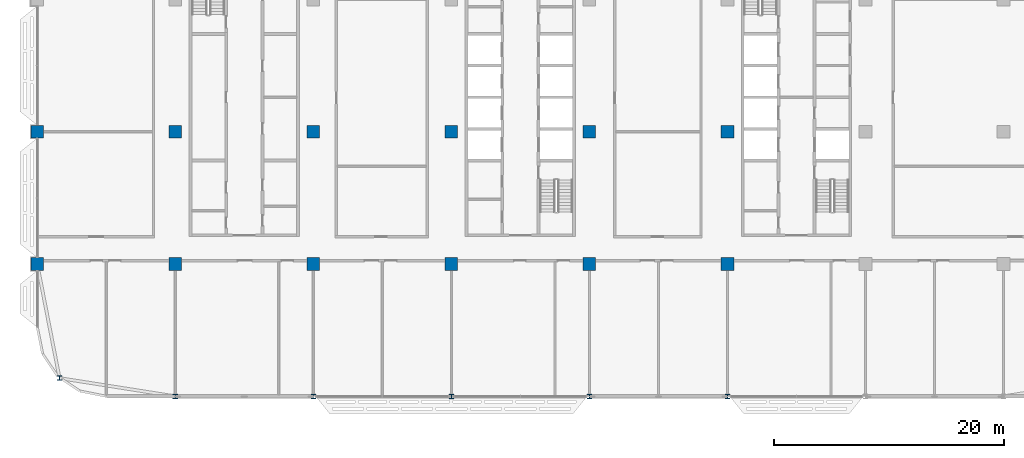
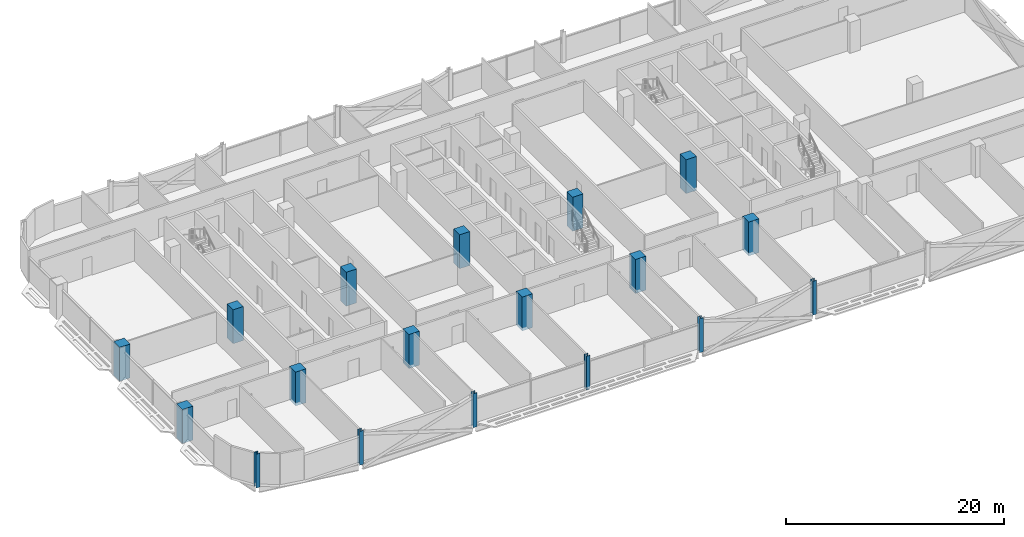
# One storey, part 1 of 30: 18 columns.
"""IFC4 building model written with IfcOpenShell, lengths in metres."""

from ifc_helpers import new_model, si_unit, direction, frame, origin, origin_2d, place, context, subcontext, project, spatial, rectangle, i_section, extrude, material, material_profile, profile_set, type_object, element, save


model = new_model("IFC4")

# Units and contexts
model_context = context("Model", 3, precision=1e-05, world=origin(), true_north=direction((0.0, 1.0)))
body_context = subcontext(model_context, "Body", "Model", "MODEL_VIEW")
ifc_project = project(units=[si_unit("LENGTHUNIT", "METRE"), si_unit("AREAUNIT", "SQUARE_METRE"), si_unit("VOLUMEUNIT", "CUBIC_METRE"), si_unit("PLANEANGLEUNIT", "RADIAN"), si_unit("MASSUNIT", "GRAM", prefix="KILO")], contexts=[model_context])

# Site, building, storey
site_placement = place(None, origin())
site = spatial("IfcSite", under=ifc_project, at=site_placement, CompositionType="ELEMENT")
building_placement = place(site_placement, origin())
building = spatial("IfcBuilding", under=site, at=building_placement, Name="Mahtab Terrace Research Tower", CompositionType="ELEMENT")
storey_placement = place(building_placement, frame((0.0, 0.0, 201.5)))
storey = spatial("IfcBuildingStorey", under=building, at=storey_placement, Name="L48", CompositionType="ELEMENT", Elevation=201.5)

# Columns
ifc_material_1 = material(Name="Concrete C70/85", Category="concrete")
ifc_material_profile_1 = material_profile(ifc_material_1, rectangle(XDim=1.10009765625, YDim=1.10009765625, at=origin_2d()), Name="RC column 1100x1100")
ifc_profile_set_1 = profile_set([ifc_material_profile_1], Name="Concrete C70/85")
column_type_1 = type_object("IfcColumnType", Name="RC column 1100x1100", PredefinedType="COLUMN", material=ifc_profile_set_1)
for number, where, z_axis, x_axis, name in (
    (1, (-42.0, -11.5, -0.340087890625), (0.0, 0.0, 1.0), (1.0, 0.0, 0.0), "Column RC-1A L48"),
    (2, (-42.0, 0.0, -0.340087890625), (0.0, 0.0, 1.0), (1.0, 0.0, 0.0), "Column RC-1B L48"),
    (3, (-30.0, -11.5, -0.340087890625), (0.0, 0.0, 1.0), (1.0, 0.0, 0.0), "Column RC-2A L48"),
    (4, (-30.0, 0.0, -0.340087890625), (0.0, 0.0, 1.0), (1.0, 0.0, 0.0), "Column RC-2B L48"),
    (5, (-18.0, -11.5, -0.340087890625), (0.0, 0.0, 1.0), (1.0, 0.0, 0.0), "Column RC-3A L48"),
    (6, (-18.0, 0.0, -0.340087890625), (0.0, 0.0, 1.0), (1.0, 0.0, 0.0), "Column RC-3B L48"),
    (7, (-6.0, -11.5, -0.340087890625), (0.0, 0.0, 1.0), (1.0, 0.0, 0.0), "Column RC-4A L48"),
    (8, (-6.0, 0.0, -0.340087890625), (0.0, 0.0, 1.0), (1.0, 0.0, 0.0), "Column RC-4B L48"),
    (9, (6.0, -11.5, -0.340087890625), (0.0, 0.0, 1.0), (1.0, 0.0, 0.0), "Column RC-5A L48"),
    (10, (6.0, 0.0, -0.340087890625), (0.0, 0.0, 1.0), (1.0, 0.0, 0.0), "Column RC-5B L48"),
    (11, (18.0, -11.5, -0.340087890625), (0.0, 0.0, 1.0), (1.0, 0.0, 0.0), "Column RC-6A L48"),
    (12, (18.0, 0.0, -0.340087890625), (0.0, 0.0, 1.0), (1.0, 0.0, 0.0), "Column RC-6B L48"),
):
    element("IfcColumn", number, at=place(storey_placement, frame(where, z_axis=z_axis, x_axis=x_axis)), inside=storey, type_object=column_type_1, Name=name, PredefinedType="COLUMN", context=body_context, shape_type="SweptSolid", body=[
        extrude(rectangle(XDim=1.10009765625, YDim=1.10009765625, at=origin_2d()), origin(), (0.0, 0.0, 1.0), 3.800048828125),
    ])
ifc_material_2 = material(Name="Steel ASTM A992 Gr 50", Category="steel")
ifc_material_profile_2 = material_profile(ifc_material_2, i_section(OverallWidth=0.4013671875, OverallDepth=0.398681640625, WebThickness=0.02490234375, FlangeThickness=0.03955078125, at=origin_2d()), Name="W14X211")
ifc_profile_set_2 = profile_set([ifc_material_profile_2], Name="Steel ASTM A992 Gr 50")
column_type_2 = type_object("IfcColumnType", Name="W14x211 column CS14211", PredefinedType="COLUMN", material=ifc_profile_set_2)
for number, where, z_axis, x_axis, name in (
    (13, (-40.06201171875, -21.416015625, -0.340087890625), (0.0, 0.0, 1.0), (1.0, 0.0, 0.0), "Column SC-025 L48"),
    (14, (-30.0, -23.0, -0.340087890625), (0.0, 0.0, 1.0), (1.0, 0.0, 0.0), "Column SC-013 L48"),
    (15, (-18.0, -23.0, -0.340087890625), (0.0, 0.0, 1.0), (1.0, 0.0, 0.0), "Column SC-014 L48"),
    (16, (-6.0, -23.0, -0.340087890625), (0.0, 0.0, 1.0), (1.0, 0.0, 0.0), "Column SC-015 L48"),
    (17, (6.0, -23.0, -0.340087890625), (0.0, 0.0, 1.0), (1.0, 0.0, 0.0), "Column SC-016 L48"),
    (18, (18.0, -23.0, -0.340087890625), (0.0, 0.0, 1.0), (1.0, 0.0, 0.0), "Column SC-017 L48"),
):
    element("IfcColumn", number, at=place(storey_placement, frame(where, z_axis=z_axis, x_axis=x_axis)), inside=storey, type_object=column_type_2, Name=name, PredefinedType="COLUMN", context=body_context, shape_type="SweptSolid", body=[
        extrude(i_section(OverallWidth=0.4013671875, OverallDepth=0.398681640625, WebThickness=0.02490234375, FlangeThickness=0.03955078125, at=origin_2d()), origin(), (0.0, 0.0, 1.0), 3.800048828125),
    ])

save(model, "model.ifc")
